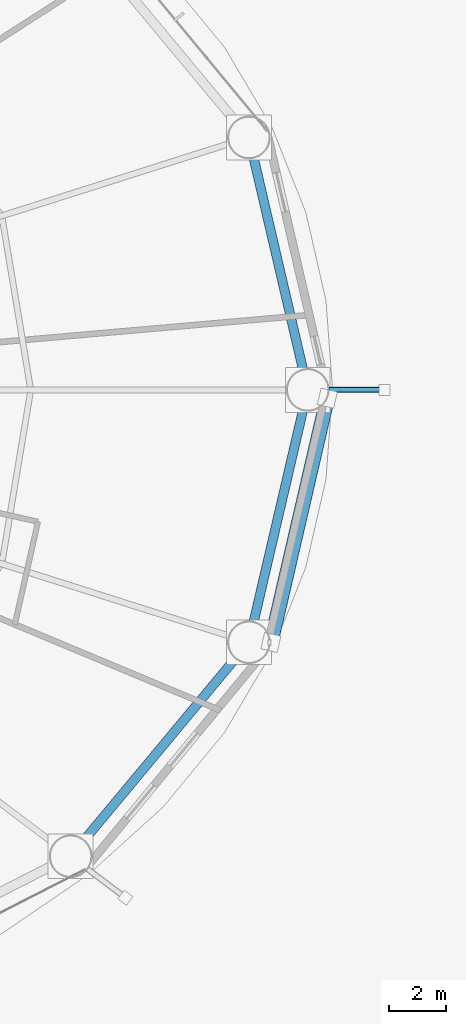
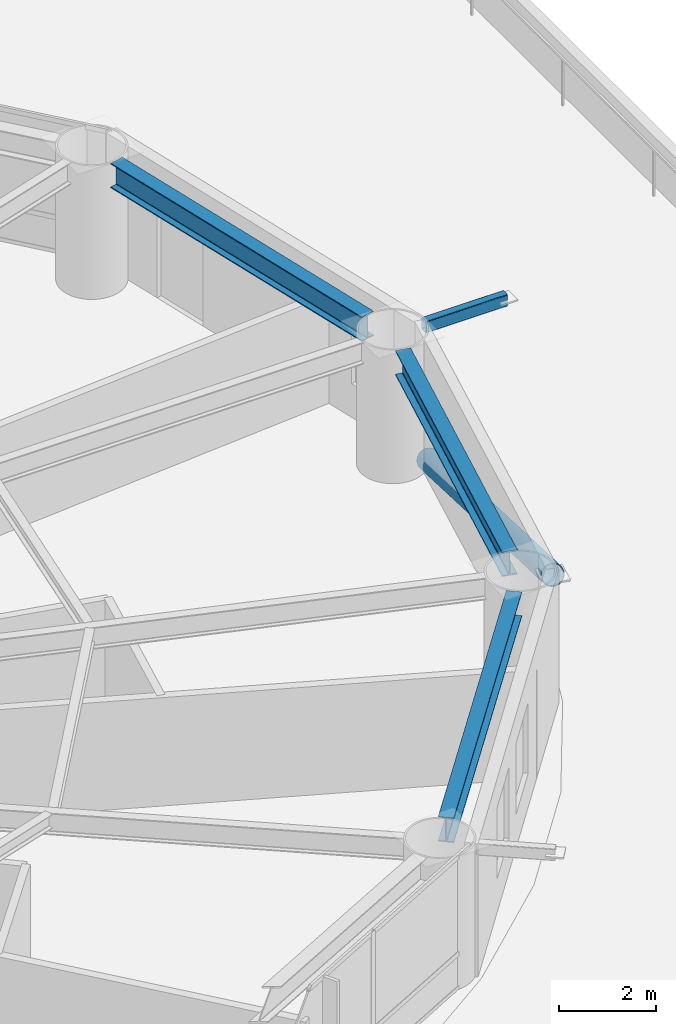
# One storey, part 13 of 30: 3 beams, 2 members.
"""IFC4 building model written with IfcOpenShell, lengths in metres."""

from ifc_helpers import new_model, si_unit, direction, frame, origin, origin_2d, place, context, subcontext, project, spatial, hollow_rectangle, hollow_circle, i_section, extrude, material, material_profile, profile_set, type_object, element, save


model = new_model("IFC4")

# Units and contexts
model_context = context("Model", 3, precision=1e-05, world=origin(), true_north=direction((0.0, 1.0)))
body_context = subcontext(model_context, "Body", "Model", "MODEL_VIEW")
ifc_project = project(units=[si_unit("LENGTHUNIT", "METRE"), si_unit("AREAUNIT", "SQUARE_METRE"), si_unit("VOLUMEUNIT", "CUBIC_METRE"), si_unit("PLANEANGLEUNIT", "RADIAN"), si_unit("MASSUNIT", "GRAM", prefix="KILO")], contexts=[model_context])

# Site, building, storey
site_placement = place(None, origin())
site = spatial("IfcSite", under=ifc_project, at=site_placement, CompositionType="ELEMENT")
building_placement = place(site_placement, origin())
building = spatial("IfcBuilding", under=site, at=building_placement, Name="Sarneth Arch Tower", CompositionType="ELEMENT")
storey_placement = place(building_placement, frame((0.0, 0.0, 28.199951171875)))
storey = spatial("IfcBuildingStorey", under=building, at=storey_placement, Name="L05", CompositionType="ELEMENT", Elevation=28.199951171875)

# Beams
ifc_material_1 = material(Name="Steel S355", Category="steel")
ifc_material_profile_1 = material_profile(ifc_material_1, i_section(OverallWidth=0.326904296875, OverallDepth=0.6220703125, WebThickness=0.015380859375, FlangeThickness=0.0244140625, FilletRadius=0.01904296875, at=origin_2d()), Name="W610x195")
ifc_profile_set_1 = profile_set([ifc_material_profile_1], Name="Steel S355")
beam_type = type_object("IfcBeamType", Name="BM-SPAN-610A", PredefinedType="SPANDREL", material=ifc_profile_set_1)
beam_1_placement = place(storey_placement, frame((77.864501953125, 42.73046875, 3.069091796875), z_axis=(-0.226982354826, 0.973898870827, 0.0), x_axis=(-0.973898870827, -0.226982354826, 0.0)))
element("IfcBeam", 1, at=beam_1_placement, inside=storey, type_object=beam_type, Name="L05 Perimeter spandrel beam 01", PredefinedType="SPANDREL", context=body_context, shape_type="SweptSolid", body=[
    extrude(i_section(OverallWidth=0.326904296875, OverallDepth=0.6220703125, WebThickness=0.015380859375, FlangeThickness=0.0244140625, FilletRadius=0.01904296875, at=origin_2d()), origin(), (0.0, 0.0, 1.0), 7.6162109375),
])
beam_2_placement = place(storey_placement, frame((70.1767578125, 26.17138671875, 3.069091796875), z_axis=(0.639981736251, 0.768390120489, 0.0), x_axis=(-0.768390120489, 0.639981736251, 0.0)))
element("IfcBeam", 2, at=beam_2_placement, inside=storey, type_object=beam_type, Name="L05 Perimeter spandrel beam 15", PredefinedType="SPANDREL", context=body_context, shape_type="SweptSolid", body=[
    extrude(i_section(OverallWidth=0.326904296875, OverallDepth=0.6220703125, WebThickness=0.015380859375, FlangeThickness=0.0244140625, FilletRadius=0.01904296875, at=origin_2d()), origin(), (0.0, 0.0, 1.0), 8.29541015625),
])
beam_3_placement = place(storey_placement, frame((76.1357421875, 33.85205078125, 3.069091796875), z_axis=(0.226982354826, 0.973898870827, 0.0), x_axis=(-0.973898870827, 0.226982354826, 0.0)))
element("IfcBeam", 3, at=beam_3_placement, inside=storey, type_object=beam_type, Name="L05 Perimeter spandrel beam 16", PredefinedType="SPANDREL", context=body_context, shape_type="SweptSolid", body=[
    extrude(i_section(OverallWidth=0.326904296875, OverallDepth=0.6220703125, WebThickness=0.015380859375, FlangeThickness=0.0244140625, FilletRadius=0.01904296875, at=origin_2d()), origin(), (0.0, 0.0, 1.0), 7.6162109375),
])

# Members
ifc_material_2 = material(Name="Steel S355", Category="steel")
ifc_material_profile_2 = material_profile(ifc_material_2, hollow_rectangle(XDim=0.199951171875, YDim=0.300048828125, WallThickness=0.012451171875, InnerFilletRadius=0.018798828125, OuterFilletRadius=0.03125, at=origin_2d()), Name="RHS300x200x12.5")
ifc_profile_set_2 = profile_set([ifc_material_profile_2], Name="Steel S355")
member_type_1 = type_object("IfcMemberType", Name="MEM-CANT-STRUT", PredefinedType="STRUT", material=ifc_profile_set_2)
member_1_placement = place(storey_placement, frame((78.784912109375, 42.0, 3.219970703125), z_axis=(1.0, 0.0, 0.0), x_axis=(0.0, 1.0, 0.0)))
element("IfcMember", 4, at=member_1_placement, inside=storey, type_object=member_type_1, Name="L05 Balcony cantilever bracket 01", PredefinedType="STRUT", context=body_context, shape_type="SweptSolid", body=[
    extrude(hollow_rectangle(XDim=0.199951171875, YDim=0.300048828125, WallThickness=0.012451171875, InnerFilletRadius=0.018798828125, OuterFilletRadius=0.03125, at=origin_2d()), origin(), (0.0, 0.0, 1.0), 1.94970703125),
])
ifc_material_3 = material(Name="Steel S355", Category="steel")
ifc_material_profile_3 = material_profile(ifc_material_3, hollow_circle(Radius=0.25390625, WallThickness=0.01611328125, at=origin_2d()), Name="CHS508x16")
ifc_profile_set_3 = profile_set([ifc_material_profile_3], Name="Steel S355")
member_type_2 = type_object("IfcMemberType", Name="MEM-DIAG-BR1", PredefinedType="BRACE", material=ifc_profile_set_3)
member_2_placement = place(storey_placement, frame((78.725341796875, 41.707763671875, 0.02001953125), z_axis=(-0.213332307958, -0.922814312474, 0.320785085492), x_axis=(0.974304339016, -0.225235554419, 0.0)))
element("IfcMember", 5, at=member_2_placement, inside=storey, type_object=member_type_2, Name="L05 Perimeter frame diagonal 16", PredefinedType="BRACE", context=body_context, shape_type="SweptSolid", body=[
    extrude(hollow_circle(Radius=0.25390625, WallThickness=0.01611328125, at=origin_2d()), origin(), (0.0, 0.0, 1.0), 9.31103515625),
])

save(model, "model.ifc")
